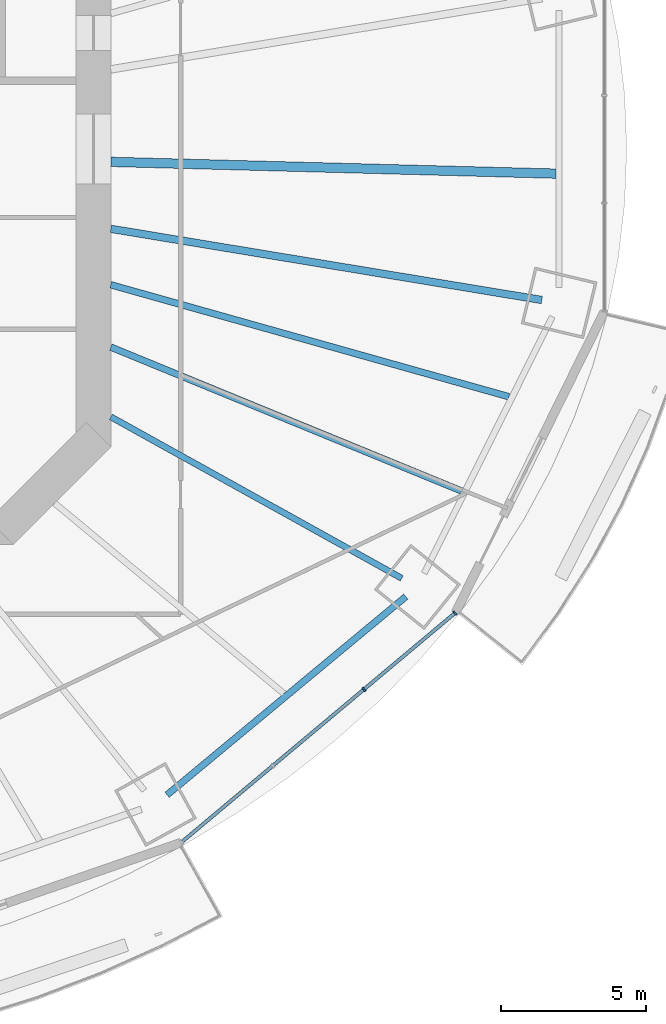
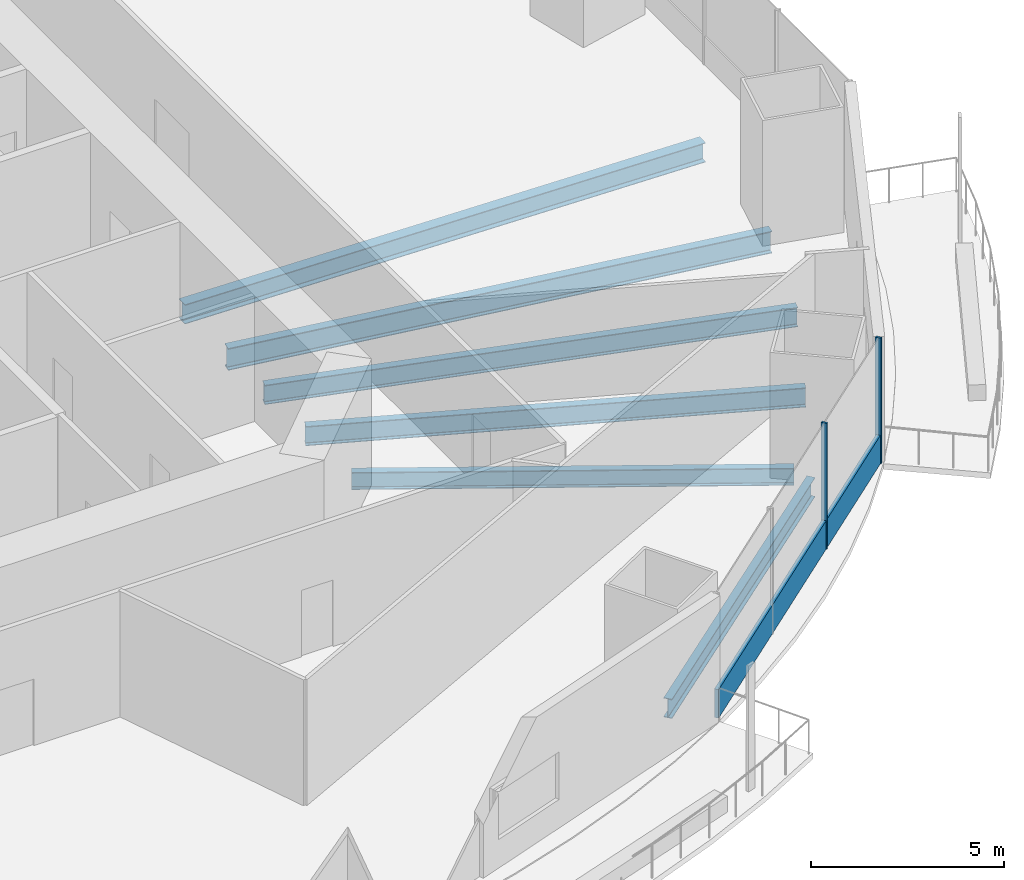
# One storey, part 5 of 22: 6 beams, 3 members, 1 element without a shape of its own.
"""IFC4 building model written with IfcOpenShell, lengths in metres."""

from ifc_helpers import new_model, si_unit, direction, frame, origin, origin_2d, place, context, subcontext, project, spatial, rectangle, i_section, extrude, material, material_profile, profile_set, type_object, element, aggregate, save


model = new_model("IFC4")

# Units and contexts
model_context = context("Model", 3, precision=1e-05, world=origin(), true_north=direction((0.0, 1.0)))
body_context = subcontext(model_context, "Body", "Model", "MODEL_VIEW")
ifc_project = project(units=[si_unit("LENGTHUNIT", "METRE"), si_unit("AREAUNIT", "SQUARE_METRE"), si_unit("VOLUMEUNIT", "CUBIC_METRE"), si_unit("PLANEANGLEUNIT", "RADIAN"), si_unit("MASSUNIT", "GRAM", prefix="KILO")], contexts=[model_context])

# Site, building, storey
site_placement = place(None, origin())
site = spatial("IfcSite", under=ifc_project, at=site_placement, CompositionType="ELEMENT")
building_placement = place(site_placement, origin())
building = spatial("IfcBuilding", under=site, at=building_placement, Name="Marenthal Gate Tower", CompositionType="ELEMENT")
storey_placement = place(building_placement, frame((0.0, 0.0, 111.85009765625)))
storey = spatial("IfcBuildingStorey", under=building, at=storey_placement, Name="L23", CompositionType="ELEMENT", Elevation=111.85009765625)

# Curtain wall, members
ifc_material_1 = material(Name="Aluminium and glass", Category="aluminium")
curtain_wall_type = type_object("IfcCurtainWallType", Name="Curtain wall typical low", PredefinedType="NOTDEFINED", material=ifc_material_1)
curtain_wall_placement = place(storey_placement, origin())
curtain_wall = element("IfcCurtainWall", 1, at=curtain_wall_placement, inside=storey, type_object=curtain_wall_type, Name="Curtain wall L23 bay 14", PredefinedType="NOTDEFINED")
ifc_material_2 = material(Name="Aluminium", Category="aluminium")
ifc_material_profile_1 = material_profile(ifc_material_2, rectangle(XDim=0.159912109375, YDim=0.06005859375, at=origin_2d()), Name="60x160 aluminium mullion")
ifc_profile_set_1 = profile_set([ifc_material_profile_1], Name="Aluminium")
member_type_1 = type_object("IfcMemberType", Name="Mullion 60x160 typical low", PredefinedType="MULLION", material=ifc_profile_set_1)
member_1_placement = place(storey_placement, frame((25.302490234375, -18.5830078125, 0.0), z_axis=(0.0, 0.0, 1.0), x_axis=(-0.642377082487, 0.766388728972, 0.0)))
member_1 = element("IfcMember", 2, at=member_1_placement, type_object=member_type_1, Name="Mullion L23 bay 14.3", PredefinedType="MULLION", context=body_context, shape_type="SweptSolid", body=[
    extrude(rectangle(XDim=0.159912109375, YDim=0.06005859375, at=origin_2d()), origin(), (0.0, 0.0, 1.0), 3.969970703125),
])
member_2_placement = place(storey_placement, frame((28.434814453125, -15.95751953125, 0.0), z_axis=(0.0, 0.0, 1.0), x_axis=(-0.642377082487, 0.766388728972, 0.0)))
member_2 = element("IfcMember", 3, at=member_2_placement, type_object=member_type_1, Name="Mullion L23 bay 14.4", PredefinedType="MULLION", context=body_context, shape_type="SweptSolid", body=[
    extrude(rectangle(XDim=0.159912109375, YDim=0.06005859375, at=origin_2d()), origin(), (0.0, 0.0, 1.0), 3.969970703125),
])
ifc_material_3 = material(Name="Aluminium", Category="aluminium")
ifc_material_profile_2 = material_profile(ifc_material_3, rectangle(XDim=0.1201171875, YDim=0.89990234375, at=origin_2d()), Name="120x900 aluminium transom")
ifc_profile_set_2 = profile_set([ifc_material_profile_2], Name="Aluminium")
member_type_2 = type_object("IfcMemberType", Name="Transom 120x900 typical low", PredefinedType="USERDEFINED", material=ifc_profile_set_2)
member_3_placement = place(storey_placement, frame((19.060791015625, -23.814697265625, 0.449951171875), z_axis=(0.766391084467, 0.64237427225, 0.0), x_axis=(-0.64237427225, 0.766391084467, 0.0)))
member_3 = element("IfcMember", 4, at=member_3_placement, type_object=member_type_2, Name="Transom L23 bay 14", ObjectType="TRANSOM", PredefinedType="USERDEFINED", context=body_context, shape_type="SweptSolid", body=[
    extrude(rectangle(XDim=0.1201171875, YDim=0.89990234375, at=origin_2d()), origin(), (0.0, 0.0, 1.0), 12.201416015625),
])
aggregate(curtain_wall, [member_1, member_2, member_3])

# Beams
ifc_material_4 = material(Name="Steel S355", Category="steel")
ifc_material_profile_3 = material_profile(ifc_material_4, i_section(OverallWidth=0.2119140625, OverallDepth=0.5439453125, WebThickness=0.01318359375, FlangeThickness=0.021240234375, FilletRadius=0.0126953125, at=origin_2d()), Name="W530X123")
ifc_profile_set_3 = profile_set([ifc_material_profile_3], Name="Steel S355")
beam_type_1 = type_object("IfcBeamType", Name="W530X123 beam", PredefinedType="BEAM", material=ifc_profile_set_3)
beam_1_placement = place(storey_placement, frame((26.605224609375, -14.761474609375, -0.4521484375), z_axis=(-0.87442184895, 0.485166394218, 0.0), x_axis=(-0.485166394218, -0.87442184895, 0.0)))
element("IfcBeam", 5, at=beam_1_placement, inside=storey, type_object=beam_type_1, Name="BM-L23-15", PredefinedType="BEAM", context=body_context, shape_type="SweptSolid", body=[
    extrude(i_section(OverallWidth=0.2119140625, OverallDepth=0.5439453125, WebThickness=0.01318359375, FlangeThickness=0.021240234375, FilletRadius=0.0126953125, at=origin_2d()), origin(), (0.0, 0.0, 1.0), 11.44189453125),
])
ifc_material_5 = material(Name="Steel S355", Category="steel")
ifc_material_profile_4 = material_profile(ifc_material_5, i_section(OverallWidth=0.22900390625, OverallDepth=0.612060546875, WebThickness=0.011962890625, FlangeThickness=0.01953125, FilletRadius=0.0126953125, at=origin_2d()), Name="W610X125")
ifc_profile_set_4 = profile_set([ifc_material_profile_4], Name="Steel S355")
beam_type_2 = type_object("IfcBeamType", Name="W610X125 beam", PredefinedType="BEAM", material=ifc_profile_set_4)
beam_2_placement = place(storey_placement, frame((28.670654296875, -11.7626953125, -0.486083984375), z_axis=(-0.925165248612, 0.379564569949, 0.0), x_axis=(-0.379564569949, -0.925165248612, 0.0)))
element("IfcBeam", 6, at=beam_2_placement, inside=storey, type_object=beam_type_2, Name="BM-L23-38", PredefinedType="BEAM", context=body_context, shape_type="SweptSolid", body=[
    extrude(i_section(OverallWidth=0.22900390625, OverallDepth=0.612060546875, WebThickness=0.011962890625, FlangeThickness=0.01953125, FilletRadius=0.0126953125, at=origin_2d()), origin(), (0.0, 0.0, 1.0), 13.046875),
])
beam_3_placement = place(storey_placement, frame((30.2900390625, -8.5166015625, -0.486083984375), z_axis=(-0.962672470775, 0.270669011917, 0.0), x_axis=(-0.270669011917, -0.962672470775, 0.0)))
element("IfcBeam", 7, at=beam_3_placement, inside=storey, type_object=beam_type_2, Name="BM-L23-39", PredefinedType="BEAM", context=body_context, shape_type="SweptSolid", body=[
    extrude(i_section(OverallWidth=0.22900390625, OverallDepth=0.612060546875, WebThickness=0.011962890625, FlangeThickness=0.01953125, FilletRadius=0.0126953125, at=origin_2d()), origin(), (0.0, 0.0, 1.0), 14.220703125),
])
beam_4_placement = place(storey_placement, frame((18.535400390625, -22.208740234375, -0.486083984375), z_axis=(0.769349195684, 0.638828470796, 0.0), x_axis=(-0.638828470796, 0.769349195684, 0.0)))
element("IfcBeam", 8, at=beam_4_placement, inside=storey, type_object=beam_type_2, Name="BM-L23-54", PredefinedType="BEAM", context=body_context, shape_type="SweptSolid", body=[
    extrude(i_section(OverallWidth=0.22900390625, OverallDepth=0.612060546875, WebThickness=0.011962890625, FlangeThickness=0.01953125, FilletRadius=0.0126953125, at=origin_2d()), origin(), (0.0, 0.0, 1.0), 10.66943359375),
])
ifc_material_6 = material(Name="Steel S355", Category="steel")
ifc_material_profile_5 = material_profile(ifc_material_6, i_section(OverallWidth=0.324951171875, OverallDepth=0.612060546875, WebThickness=0.0126953125, FlangeThickness=0.01904296875, FilletRadius=0.0126953125, at=origin_2d()), Name="W610X155")
ifc_profile_set_5 = profile_set([ifc_material_profile_5], Name="Steel S355")
beam_type_3 = type_object("IfcBeamType", Name="W610X155 beam", PredefinedType="BEAM", material=ifc_profile_set_5)
beam_5_placement = place(storey_placement, frame((31.91259765625, -0.843505859375, -0.486083984375), z_axis=(-0.999650779754, 0.02642571736, 0.0), x_axis=(-0.02642571736, -0.999650779754, 0.0)))
element("IfcBeam", 9, at=beam_5_placement, inside=storey, type_object=beam_type_3, Name="BM-L23-40", PredefinedType="BEAM", context=body_context, shape_type="SweptSolid", body=[
    extrude(i_section(OverallWidth=0.324951171875, OverallDepth=0.612060546875, WebThickness=0.0126953125, FlangeThickness=0.01904296875, FilletRadius=0.0126953125, at=origin_2d()), origin(), (0.0, 0.0, 1.0), 15.31787109375),
])
ifc_material_7 = material(Name="Steel S355", Category="steel")
ifc_material_profile_6 = material_profile(ifc_material_7, i_section(OverallWidth=0.257080078125, OverallDepth=0.693115234375, WebThickness=0.014404296875, FlangeThickness=0.023681640625, FilletRadius=0.015380859375, at=origin_2d()), Name="W690X170")
ifc_profile_set_6 = profile_set([ifc_material_profile_6], Name="Steel S355")
beam_type_4 = type_object("IfcBeamType", Name="W690X170 beam", PredefinedType="BEAM", material=ifc_profile_set_6)
beam_6_placement = place(storey_placement, frame((31.423828125, -5.190185546875, -0.526611328125), z_axis=(-0.986631792526, 0.162965352074, 0.0), x_axis=(-0.162965352074, -0.986631792526, 0.0)))
element("IfcBeam", 10, at=beam_6_placement, inside=storey, type_object=beam_type_4, Name="BM-L23-16", PredefinedType="BEAM", context=body_context, shape_type="SweptSolid", body=[
    extrude(i_section(OverallWidth=0.257080078125, OverallDepth=0.693115234375, WebThickness=0.014404296875, FlangeThickness=0.023681640625, FilletRadius=0.015380859375, at=origin_2d()), origin(), (0.0, 0.0, 1.0), 15.024658203125),
])

save(model, "model.ifc")
